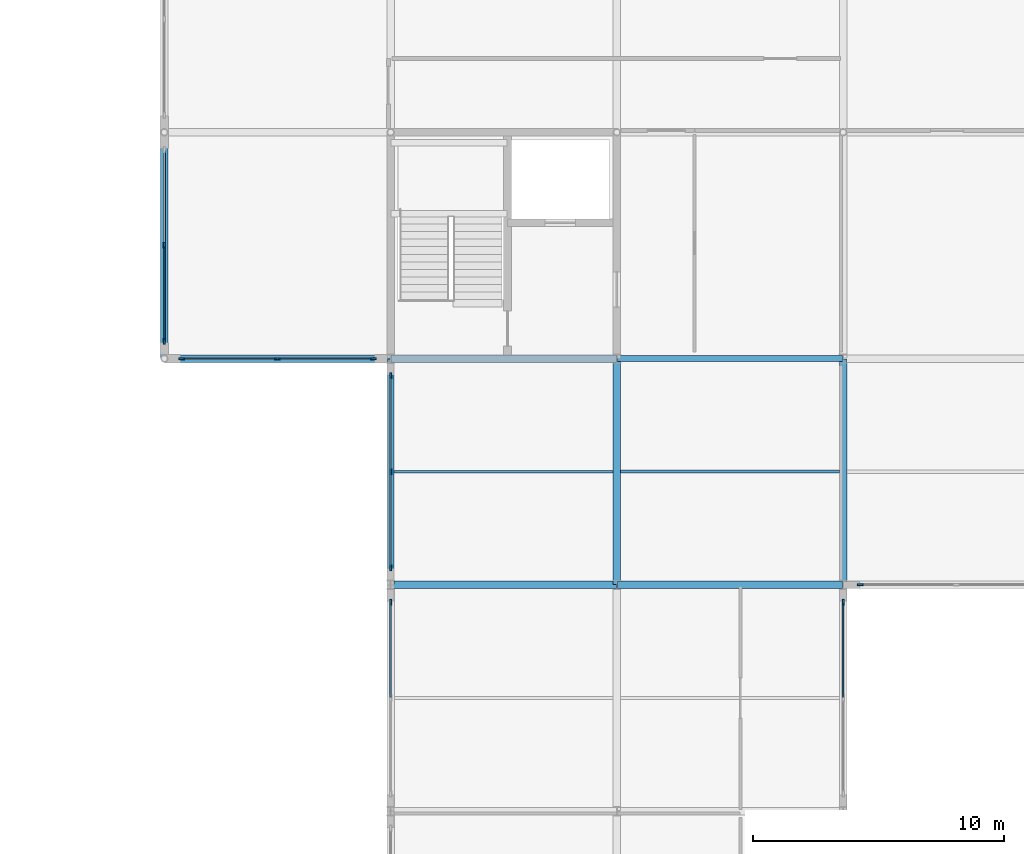
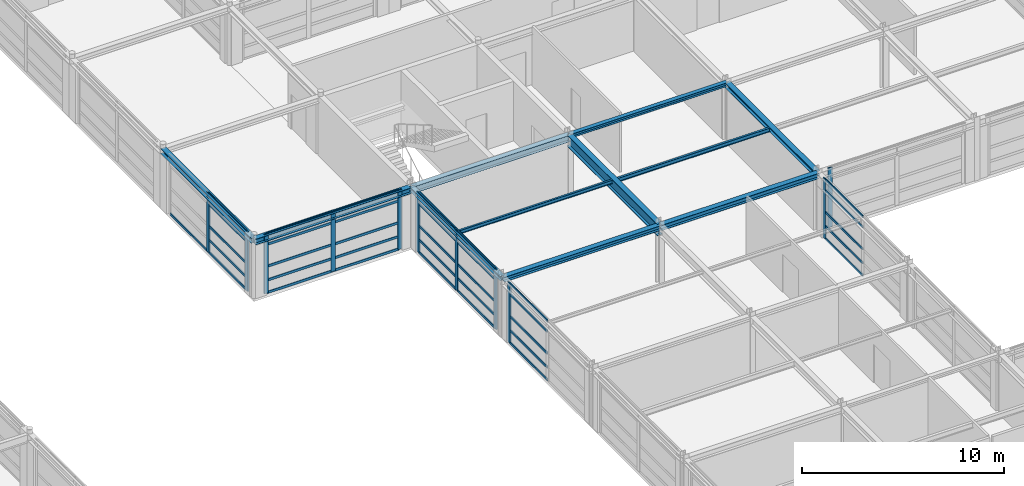
# One storey, part 29 of 79: 47 members, 11 beams, 6 elements without a shape of their own.
"""IFC4 building model written with IfcOpenShell, lengths in metres."""

from ifc_helpers import new_model, si_unit, direction, frame, origin, origin_2d, place, context, subcontext, project, spatial, rectangle, i_section, extrude, material, material_profile, profile_set, type_object, element, aggregate, save


model = new_model("IFC4")

# Units and contexts
model_context = context("Model", 3, precision=1e-05, world=origin(), true_north=direction((0.0, 1.0)))
body_context = subcontext(model_context, "Body", "Model", "MODEL_VIEW")
ifc_project = project(units=[si_unit("LENGTHUNIT", "METRE"), si_unit("AREAUNIT", "SQUARE_METRE"), si_unit("VOLUMEUNIT", "CUBIC_METRE"), si_unit("PLANEANGLEUNIT", "RADIAN"), si_unit("MASSUNIT", "GRAM", prefix="KILO")], contexts=[model_context])

# Site, building, storey
site_placement = place(None, origin())
site = spatial("IfcSite", under=ifc_project, at=site_placement, CompositionType="ELEMENT")
building_placement = place(site_placement, origin())
building = spatial("IfcBuilding", under=site, at=building_placement, Name="Palais des Congres Ocreval", CompositionType="ELEMENT")
storey_placement = place(building_placement, frame((0.0, 0.0, 4.320068359375)))
storey = spatial("IfcBuildingStorey", under=building, at=storey_placement, Name="L01", CompositionType="ELEMENT", Elevation=4.320068359375)

# Curtain wall, member
ifc_material_1 = material(Name="Anodized bronze aluminium and low-E glass", Category="glass")
curtain_wall_type = type_object("IfcCurtainWallType", Name="Unitised Curtain Wall 7900x3660", PredefinedType="USERDEFINED", material=ifc_material_1)
curtain_wall_1_placement = place(storey_placement, origin())
curtain_wall_1 = element("IfcCurtainWall", 1, at=curtain_wall_1_placement, inside=storey, type_object=curtain_wall_type, Name="Unitised Curtain Wall CW02 L01", ObjectType="UNITISED CURTAIN WALL", PredefinedType="USERDEFINED")
ifc_material_2 = material(Name="Anodized bronze aluminium", Category="aluminium")
ifc_material_profile_1 = material_profile(ifc_material_2, rectangle(XDim=0.074951171875, YDim=0.239990234375, at=origin_2d()), Name="ALU 75x240")
ifc_profile_set_1 = profile_set([ifc_material_profile_1], Name="Anodized bronze aluminium")
member_type_1 = type_object("IfcMemberType", Name="Curtain Wall Mullion ALU 75x240", PredefinedType="MULLION", material=ifc_profile_set_1)
member_1_placement = place(storey_placement, frame((108.0, 35.3125, 0.0), z_axis=(0.0, 0.0, 1.0), x_axis=(-1.0, 0.0, 0.0)))
member_1 = element("IfcMember", 2, at=member_1_placement, type_object=member_type_1, Name="Curtain Wall Mullion ML01", PredefinedType="MULLION", context=body_context, shape_type="SweptSolid", body=[
    extrude(rectangle(XDim=0.074951171875, YDim=0.239990234375, at=origin_2d()), origin(), (0.0, 0.0, 1.0), 3.599853515625),
])

# Curtain wall, members
curtain_wall_2_placement = place(storey_placement, origin())
curtain_wall_2 = element("IfcCurtainWall", 3, at=curtain_wall_2_placement, inside=storey, type_object=curtain_wall_type, Name="Unitised Curtain Wall CW02 L01", ObjectType="UNITISED CURTAIN WALL", PredefinedType="USERDEFINED")
member_2_placement = place(storey_placement, frame((108.0, 36.6875, 0.0), z_axis=(0.0, 0.0, 1.0), x_axis=(-1.0, 0.0, 0.0)))
member_2 = element("IfcMember", 4, at=member_2_placement, type_object=member_type_1, Name="Curtain Wall Mullion ML01", PredefinedType="MULLION", context=body_context, shape_type="SweptSolid", body=[
    extrude(rectangle(XDim=0.074951171875, YDim=0.239990234375, at=origin_2d()), origin(), (0.0, 0.0, 1.0), 3.599853515625),
])
member_3_placement = place(storey_placement, frame((108.0, 40.5, 0.0), z_axis=(0.0, 0.0, 1.0), x_axis=(-1.0, 0.0, 0.0)))
member_3 = element("IfcMember", 5, at=member_3_placement, type_object=member_type_1, Name="Curtain Wall Mullion ML01", PredefinedType="MULLION", context=body_context, shape_type="SweptSolid", body=[
    extrude(rectangle(XDim=0.074951171875, YDim=0.239990234375, at=origin_2d()), origin(), (0.0, 0.0, 1.0), 3.599853515625),
])
member_4_placement = place(storey_placement, frame((108.0, 44.3125, 0.0), z_axis=(0.0, 0.0, 1.0), x_axis=(-1.0, 0.0, 0.0)))
member_4 = element("IfcMember", 6, at=member_4_placement, type_object=member_type_1, Name="Curtain Wall Mullion ML01", PredefinedType="MULLION", context=body_context, shape_type="SweptSolid", body=[
    extrude(rectangle(XDim=0.074951171875, YDim=0.239990234375, at=origin_2d()), origin(), (0.0, 0.0, 1.0), 3.599853515625),
])

curtain_wall_3_placement = place(storey_placement, origin())
curtain_wall_3 = element("IfcCurtainWall", 7, at=curtain_wall_3_placement, inside=storey, type_object=curtain_wall_type, Name="Unitised Curtain Wall CW02 L01", ObjectType="UNITISED CURTAIN WALL", PredefinedType="USERDEFINED")
member_5_placement = place(storey_placement, frame((107.3125, 45.0, 0.0), z_axis=(0.0, 0.0, 1.0), x_axis=(0.0, -1.0, 0.0)))
member_5 = element("IfcMember", 8, at=member_5_placement, type_object=member_type_1, Name="Curtain Wall Mullion ML01", PredefinedType="MULLION", context=body_context, shape_type="SweptSolid", body=[
    extrude(rectangle(XDim=0.074951171875, YDim=0.239990234375, at=origin_2d()), origin(), (0.0, 0.0, 1.0), 3.58984375),
])
member_6_placement = place(storey_placement, frame((103.5, 45.0, 0.0), z_axis=(0.0, 0.0, 1.0), x_axis=(0.0, -1.0, 0.0)))
member_6 = element("IfcMember", 9, at=member_6_placement, type_object=member_type_1, Name="Curtain Wall Mullion ML01", PredefinedType="MULLION", context=body_context, shape_type="SweptSolid", body=[
    extrude(rectangle(XDim=0.074951171875, YDim=0.239990234375, at=origin_2d()), origin(), (0.0, 0.0, 1.0), 3.58984375),
])
member_7_placement = place(storey_placement, frame((99.6875, 45.0, 0.0), z_axis=(0.0, 0.0, 1.0), x_axis=(0.0, -1.0, 0.0)))
member_7 = element("IfcMember", 10, at=member_7_placement, type_object=member_type_1, Name="Curtain Wall Mullion ML01", PredefinedType="MULLION", context=body_context, shape_type="SweptSolid", body=[
    extrude(rectangle(XDim=0.074951171875, YDim=0.239990234375, at=origin_2d()), origin(), (0.0, 0.0, 1.0), 3.58984375),
])

curtain_wall_4_placement = place(storey_placement, origin())
curtain_wall_4 = element("IfcCurtainWall", 11, at=curtain_wall_4_placement, inside=storey, type_object=curtain_wall_type, Name="Unitised Curtain Wall CW02 L01", ObjectType="UNITISED CURTAIN WALL", PredefinedType="USERDEFINED")
member_8_placement = place(storey_placement, frame((99.0, 45.6875, 0.0), z_axis=(0.0, 0.0, 1.0), x_axis=(-1.0, 0.0, 0.0)))
member_8 = element("IfcMember", 12, at=member_8_placement, type_object=member_type_1, Name="Curtain Wall Mullion ML01", PredefinedType="MULLION", context=body_context, shape_type="SweptSolid", body=[
    extrude(rectangle(XDim=0.074951171875, YDim=0.239990234375, at=origin_2d()), origin(), (0.0, 0.0, 1.0), 3.58984375),
])
member_9_placement = place(storey_placement, frame((99.0, 49.5, 0.0), z_axis=(0.0, 0.0, 1.0), x_axis=(-1.0, 0.0, 0.0)))
member_9 = element("IfcMember", 13, at=member_9_placement, type_object=member_type_1, Name="Curtain Wall Mullion ML01", PredefinedType="MULLION", context=body_context, shape_type="SweptSolid", body=[
    extrude(rectangle(XDim=0.074951171875, YDim=0.239990234375, at=origin_2d()), origin(), (0.0, 0.0, 1.0), 3.58984375),
])

# Curtain wall, member
curtain_wall_5_placement = place(storey_placement, origin())
curtain_wall_5 = element("IfcCurtainWall", 14, at=curtain_wall_5_placement, inside=storey, type_object=curtain_wall_type, Name="Unitised Curtain Wall CW02 L01", ObjectType="UNITISED CURTAIN WALL", PredefinedType="USERDEFINED")
member_10_placement = place(storey_placement, frame((126.6875, 36.0, 0.0), z_axis=(0.0, 0.0, 1.0), x_axis=(0.0, -1.0, 0.0)))
member_10 = element("IfcMember", 15, at=member_10_placement, type_object=member_type_1, Name="Curtain Wall Mullion ML01", PredefinedType="MULLION", context=body_context, shape_type="SweptSolid", body=[
    extrude(rectangle(XDim=0.074951171875, YDim=0.239990234375, at=origin_2d()), origin(), (0.0, 0.0, 1.0), 3.599853515625),
])
aggregate(curtain_wall_5, [member_10])

curtain_wall_6_placement = place(storey_placement, origin())
curtain_wall_6 = element("IfcCurtainWall", 16, at=curtain_wall_6_placement, inside=storey, type_object=curtain_wall_type, Name="Unitised Curtain Wall CW02 L01", ObjectType="UNITISED CURTAIN WALL", PredefinedType="USERDEFINED")
member_11_placement = place(storey_placement, frame((126.0, 35.3125, 0.0), z_axis=(0.0, 0.0, 1.0), x_axis=(1.0, 0.0, 0.0)))
member_11 = element("IfcMember", 17, at=member_11_placement, type_object=member_type_1, Name="Curtain Wall Mullion ML01", PredefinedType="MULLION", context=body_context, shape_type="SweptSolid", body=[
    extrude(rectangle(XDim=0.074951171875, YDim=0.239990234375, at=origin_2d()), origin(), (0.0, 0.0, 1.0), 3.599853515625),
])

# Member
ifc_material_profile_2 = material_profile(ifc_material_2, rectangle(XDim=0.06005859375, YDim=0.14990234375, at=origin_2d()), Name="ALU 60x150")
ifc_profile_set_2 = profile_set([ifc_material_profile_2], Name="Anodized bronze aluminium")
member_type_2 = type_object("IfcMemberType", Name="Curtain Wall Transom ALU 60x150", PredefinedType="USERDEFINED", material=ifc_profile_set_2)
member_12_placement = place(storey_placement, frame((108.0, 31.53759765625, 0.030029296875), z_axis=(0.0, 1.0, 0.0), x_axis=(-1.0, 0.0, 0.0)))
member_12 = element("IfcMember", 18, at=member_12_placement, type_object=member_type_2, Name="Curtain Wall Transom TR01", ObjectType="TRANSOM", PredefinedType="USERDEFINED", context=body_context, shape_type="SweptSolid", body=[
    extrude(rectangle(XDim=0.06005859375, YDim=0.14990234375, at=origin_2d()), origin(), (0.0, 0.0, 1.0), 3.7373046875),
])

member_13_placement = place(storey_placement, frame((108.0, 31.53759765625, 0.780029296875), z_axis=(0.0, 1.0, 0.0), x_axis=(-1.0, 0.0, 0.0)))
member_13 = element("IfcMember", 19, at=member_13_placement, type_object=member_type_2, Name="Curtain Wall Transom TR01", ObjectType="TRANSOM", PredefinedType="USERDEFINED", context=body_context, shape_type="SweptSolid", body=[
    extrude(rectangle(XDim=0.06005859375, YDim=0.14990234375, at=origin_2d()), origin(), (0.0, 0.0, 1.0), 3.7373046875),
])

member_14_placement = place(storey_placement, frame((108.0, 31.53759765625, 1.622314453125), z_axis=(0.0, 1.0, 0.0), x_axis=(-1.0, 0.0, 0.0)))
member_14 = element("IfcMember", 20, at=member_14_placement, type_object=member_type_2, Name="Curtain Wall Transom TR01", ObjectType="TRANSOM", PredefinedType="USERDEFINED", context=body_context, shape_type="SweptSolid", body=[
    extrude(rectangle(XDim=0.06005859375, YDim=0.14990234375, at=origin_2d()), origin(), (0.0, 0.0, 1.0), 3.7373046875),
])

member_15_placement = place(storey_placement, frame((108.0, 31.53759765625, 2.949951171875), z_axis=(0.0, 1.0, 0.0), x_axis=(-1.0, 0.0, 0.0)))
member_15 = element("IfcMember", 21, at=member_15_placement, type_object=member_type_2, Name="Curtain Wall Transom TR01", ObjectType="TRANSOM", PredefinedType="USERDEFINED", context=body_context, shape_type="SweptSolid", body=[
    extrude(rectangle(XDim=0.06005859375, YDim=0.14990234375, at=origin_2d()), origin(), (0.0, 0.0, 1.0), 3.7373046875),
])

member_16_placement = place(storey_placement, frame((108.0, 31.53759765625, 3.56982421875), z_axis=(0.0, 1.0, 0.0), x_axis=(-1.0, 0.0, 0.0)))
member_16 = element("IfcMember", 22, at=member_16_placement, type_object=member_type_2, Name="Curtain Wall Transom TR01", ObjectType="TRANSOM", PredefinedType="USERDEFINED", context=body_context, shape_type="SweptSolid", body=[
    extrude(rectangle(XDim=0.06005859375, YDim=0.14990234375, at=origin_2d()), origin(), (0.0, 0.0, 1.0), 3.7373046875),
])

aggregate(curtain_wall_1, [member_1, member_12, member_13, member_14, member_15, member_16])

member_17_placement = place(storey_placement, frame((108.0, 36.72509765625, 0.030029296875), z_axis=(0.0, 1.0, 0.0), x_axis=(-1.0, 0.0, 0.0)))
member_17 = element("IfcMember", 23, at=member_17_placement, type_object=member_type_2, Name="Curtain Wall Transom TR01", ObjectType="TRANSOM", PredefinedType="USERDEFINED", context=body_context, shape_type="SweptSolid", body=[
    extrude(rectangle(XDim=0.06005859375, YDim=0.14990234375, at=origin_2d()), origin(), (0.0, 0.0, 1.0), 3.7373046875),
])

member_18_placement = place(storey_placement, frame((108.0, 36.72509765625, 0.780029296875), z_axis=(0.0, 1.0, 0.0), x_axis=(-1.0, 0.0, 0.0)))
member_18 = element("IfcMember", 24, at=member_18_placement, type_object=member_type_2, Name="Curtain Wall Transom TR01", ObjectType="TRANSOM", PredefinedType="USERDEFINED", context=body_context, shape_type="SweptSolid", body=[
    extrude(rectangle(XDim=0.06005859375, YDim=0.14990234375, at=origin_2d()), origin(), (0.0, 0.0, 1.0), 3.7373046875),
])

member_19_placement = place(storey_placement, frame((108.0, 36.72509765625, 1.622314453125), z_axis=(0.0, 1.0, 0.0), x_axis=(-1.0, 0.0, 0.0)))
member_19 = element("IfcMember", 25, at=member_19_placement, type_object=member_type_2, Name="Curtain Wall Transom TR01", ObjectType="TRANSOM", PredefinedType="USERDEFINED", context=body_context, shape_type="SweptSolid", body=[
    extrude(rectangle(XDim=0.06005859375, YDim=0.14990234375, at=origin_2d()), origin(), (0.0, 0.0, 1.0), 3.7373046875),
])

member_20_placement = place(storey_placement, frame((108.0, 36.72509765625, 2.949951171875), z_axis=(0.0, 1.0, 0.0), x_axis=(-1.0, 0.0, 0.0)))
member_20 = element("IfcMember", 26, at=member_20_placement, type_object=member_type_2, Name="Curtain Wall Transom TR01", ObjectType="TRANSOM", PredefinedType="USERDEFINED", context=body_context, shape_type="SweptSolid", body=[
    extrude(rectangle(XDim=0.06005859375, YDim=0.14990234375, at=origin_2d()), origin(), (0.0, 0.0, 1.0), 3.7373046875),
])

member_21_placement = place(storey_placement, frame((108.0, 36.72509765625, 3.56982421875), z_axis=(0.0, 1.0, 0.0), x_axis=(-1.0, 0.0, 0.0)))
member_21 = element("IfcMember", 27, at=member_21_placement, type_object=member_type_2, Name="Curtain Wall Transom TR01", ObjectType="TRANSOM", PredefinedType="USERDEFINED", context=body_context, shape_type="SweptSolid", body=[
    extrude(rectangle(XDim=0.06005859375, YDim=0.14990234375, at=origin_2d()), origin(), (0.0, 0.0, 1.0), 3.7373046875),
])

member_22_placement = place(storey_placement, frame((108.0, 40.53759765625, 0.030029296875), z_axis=(0.0, 1.0, 0.0), x_axis=(-1.0, 0.0, 0.0)))
member_22 = element("IfcMember", 28, at=member_22_placement, type_object=member_type_2, Name="Curtain Wall Transom TR01", ObjectType="TRANSOM", PredefinedType="USERDEFINED", context=body_context, shape_type="SweptSolid", body=[
    extrude(rectangle(XDim=0.06005859375, YDim=0.14990234375, at=origin_2d()), origin(), (0.0, 0.0, 1.0), 3.7373046875),
])

member_23_placement = place(storey_placement, frame((108.0, 40.53759765625, 0.780029296875), z_axis=(0.0, 1.0, 0.0), x_axis=(-1.0, 0.0, 0.0)))
member_23 = element("IfcMember", 29, at=member_23_placement, type_object=member_type_2, Name="Curtain Wall Transom TR01", ObjectType="TRANSOM", PredefinedType="USERDEFINED", context=body_context, shape_type="SweptSolid", body=[
    extrude(rectangle(XDim=0.06005859375, YDim=0.14990234375, at=origin_2d()), origin(), (0.0, 0.0, 1.0), 3.7373046875),
])

member_24_placement = place(storey_placement, frame((108.0, 40.53759765625, 1.622314453125), z_axis=(0.0, 1.0, 0.0), x_axis=(-1.0, 0.0, 0.0)))
member_24 = element("IfcMember", 30, at=member_24_placement, type_object=member_type_2, Name="Curtain Wall Transom TR01", ObjectType="TRANSOM", PredefinedType="USERDEFINED", context=body_context, shape_type="SweptSolid", body=[
    extrude(rectangle(XDim=0.06005859375, YDim=0.14990234375, at=origin_2d()), origin(), (0.0, 0.0, 1.0), 3.7373046875),
])

member_25_placement = place(storey_placement, frame((108.0, 40.53759765625, 2.949951171875), z_axis=(0.0, 1.0, 0.0), x_axis=(-1.0, 0.0, 0.0)))
member_25 = element("IfcMember", 31, at=member_25_placement, type_object=member_type_2, Name="Curtain Wall Transom TR01", ObjectType="TRANSOM", PredefinedType="USERDEFINED", context=body_context, shape_type="SweptSolid", body=[
    extrude(rectangle(XDim=0.06005859375, YDim=0.14990234375, at=origin_2d()), origin(), (0.0, 0.0, 1.0), 3.7373046875),
])

member_26_placement = place(storey_placement, frame((108.0, 40.53759765625, 3.56982421875), z_axis=(0.0, 1.0, 0.0), x_axis=(-1.0, 0.0, 0.0)))
member_26 = element("IfcMember", 32, at=member_26_placement, type_object=member_type_2, Name="Curtain Wall Transom TR01", ObjectType="TRANSOM", PredefinedType="USERDEFINED", context=body_context, shape_type="SweptSolid", body=[
    extrude(rectangle(XDim=0.06005859375, YDim=0.14990234375, at=origin_2d()), origin(), (0.0, 0.0, 1.0), 3.7373046875),
])

aggregate(curtain_wall_2, [member_2, member_3, member_4, member_17, member_18, member_19, member_20, member_21, member_22, member_23, member_24, member_25, member_26])

member_27_placement = place(storey_placement, frame((107.27490234375, 45.0, 0.030029296875), z_axis=(-1.0, 0.0, 0.0), x_axis=(0.0, -1.0, 0.0)))
member_27 = element("IfcMember", 33, at=member_27_placement, type_object=member_type_2, Name="Curtain Wall Transom TR01", ObjectType="TRANSOM", PredefinedType="USERDEFINED", context=body_context, shape_type="SweptSolid", body=[
    extrude(rectangle(XDim=0.06005859375, YDim=0.14990234375, at=origin_2d()), origin(), (0.0, 0.0, 1.0), 3.7373046875),
])

member_28_placement = place(storey_placement, frame((107.27490234375, 45.0, 0.780029296875), z_axis=(-1.0, 0.0, 0.0), x_axis=(0.0, -1.0, 0.0)))
member_28 = element("IfcMember", 34, at=member_28_placement, type_object=member_type_2, Name="Curtain Wall Transom TR01", ObjectType="TRANSOM", PredefinedType="USERDEFINED", context=body_context, shape_type="SweptSolid", body=[
    extrude(rectangle(XDim=0.06005859375, YDim=0.14990234375, at=origin_2d()), origin(), (0.0, 0.0, 1.0), 3.7373046875),
])

member_29_placement = place(storey_placement, frame((107.27490234375, 45.0, 1.616943359375), z_axis=(-1.0, 0.0, 0.0), x_axis=(0.0, -1.0, 0.0)))
member_29 = element("IfcMember", 35, at=member_29_placement, type_object=member_type_2, Name="Curtain Wall Transom TR01", ObjectType="TRANSOM", PredefinedType="USERDEFINED", context=body_context, shape_type="SweptSolid", body=[
    extrude(rectangle(XDim=0.06005859375, YDim=0.14990234375, at=origin_2d()), origin(), (0.0, 0.0, 1.0), 3.7373046875),
])

member_30_placement = place(storey_placement, frame((107.27490234375, 45.0, 2.93994140625), z_axis=(-1.0, 0.0, 0.0), x_axis=(0.0, -1.0, 0.0)))
member_30 = element("IfcMember", 36, at=member_30_placement, type_object=member_type_2, Name="Curtain Wall Transom TR01", ObjectType="TRANSOM", PredefinedType="USERDEFINED", context=body_context, shape_type="SweptSolid", body=[
    extrude(rectangle(XDim=0.06005859375, YDim=0.14990234375, at=origin_2d()), origin(), (0.0, 0.0, 1.0), 3.7373046875),
])

member_31_placement = place(storey_placement, frame((107.27490234375, 45.0, 3.559814453125), z_axis=(-1.0, 0.0, 0.0), x_axis=(0.0, -1.0, 0.0)))
member_31 = element("IfcMember", 37, at=member_31_placement, type_object=member_type_2, Name="Curtain Wall Transom TR01", ObjectType="TRANSOM", PredefinedType="USERDEFINED", context=body_context, shape_type="SweptSolid", body=[
    extrude(rectangle(XDim=0.06005859375, YDim=0.14990234375, at=origin_2d()), origin(), (0.0, 0.0, 1.0), 3.7373046875),
])

member_32_placement = place(storey_placement, frame((103.46240234375, 45.0, 0.030029296875), z_axis=(-1.0, 0.0, 0.0), x_axis=(0.0, -1.0, 0.0)))
member_32 = element("IfcMember", 38, at=member_32_placement, type_object=member_type_2, Name="Curtain Wall Transom TR01", ObjectType="TRANSOM", PredefinedType="USERDEFINED", context=body_context, shape_type="SweptSolid", body=[
    extrude(rectangle(XDim=0.06005859375, YDim=0.14990234375, at=origin_2d()), origin(), (0.0, 0.0, 1.0), 3.7373046875),
])

member_33_placement = place(storey_placement, frame((103.46240234375, 45.0, 0.780029296875), z_axis=(-1.0, 0.0, 0.0), x_axis=(0.0, -1.0, 0.0)))
member_33 = element("IfcMember", 39, at=member_33_placement, type_object=member_type_2, Name="Curtain Wall Transom TR01", ObjectType="TRANSOM", PredefinedType="USERDEFINED", context=body_context, shape_type="SweptSolid", body=[
    extrude(rectangle(XDim=0.06005859375, YDim=0.14990234375, at=origin_2d()), origin(), (0.0, 0.0, 1.0), 3.7373046875),
])

member_34_placement = place(storey_placement, frame((103.46240234375, 45.0, 1.616943359375), z_axis=(-1.0, 0.0, 0.0), x_axis=(0.0, -1.0, 0.0)))
member_34 = element("IfcMember", 40, at=member_34_placement, type_object=member_type_2, Name="Curtain Wall Transom TR01", ObjectType="TRANSOM", PredefinedType="USERDEFINED", context=body_context, shape_type="SweptSolid", body=[
    extrude(rectangle(XDim=0.06005859375, YDim=0.14990234375, at=origin_2d()), origin(), (0.0, 0.0, 1.0), 3.7373046875),
])

member_35_placement = place(storey_placement, frame((103.46240234375, 45.0, 2.93994140625), z_axis=(-1.0, 0.0, 0.0), x_axis=(0.0, -1.0, 0.0)))
member_35 = element("IfcMember", 41, at=member_35_placement, type_object=member_type_2, Name="Curtain Wall Transom TR01", ObjectType="TRANSOM", PredefinedType="USERDEFINED", context=body_context, shape_type="SweptSolid", body=[
    extrude(rectangle(XDim=0.06005859375, YDim=0.14990234375, at=origin_2d()), origin(), (0.0, 0.0, 1.0), 3.7373046875),
])

member_36_placement = place(storey_placement, frame((103.46240234375, 45.0, 3.559814453125), z_axis=(-1.0, 0.0, 0.0), x_axis=(0.0, -1.0, 0.0)))
member_36 = element("IfcMember", 42, at=member_36_placement, type_object=member_type_2, Name="Curtain Wall Transom TR01", ObjectType="TRANSOM", PredefinedType="USERDEFINED", context=body_context, shape_type="SweptSolid", body=[
    extrude(rectangle(XDim=0.06005859375, YDim=0.14990234375, at=origin_2d()), origin(), (0.0, 0.0, 1.0), 3.7373046875),
])

aggregate(curtain_wall_3, [member_5, member_6, member_7, member_27, member_28, member_29, member_30, member_31, member_32, member_33, member_34, member_35, member_36])

member_37_placement = place(storey_placement, frame((99.0, 45.72509765625, 0.030029296875), z_axis=(0.0, 1.0, 0.0), x_axis=(-1.0, 0.0, 0.0)))
member_37 = element("IfcMember", 43, at=member_37_placement, type_object=member_type_2, Name="Curtain Wall Transom TR01", ObjectType="TRANSOM", PredefinedType="USERDEFINED", context=body_context, shape_type="SweptSolid", body=[
    extrude(rectangle(XDim=0.06005859375, YDim=0.14990234375, at=origin_2d()), origin(), (0.0, 0.0, 1.0), 3.7373046875),
])

member_38_placement = place(storey_placement, frame((99.0, 45.72509765625, 0.780029296875), z_axis=(0.0, 1.0, 0.0), x_axis=(-1.0, 0.0, 0.0)))
member_38 = element("IfcMember", 44, at=member_38_placement, type_object=member_type_2, Name="Curtain Wall Transom TR01", ObjectType="TRANSOM", PredefinedType="USERDEFINED", context=body_context, shape_type="SweptSolid", body=[
    extrude(rectangle(XDim=0.06005859375, YDim=0.14990234375, at=origin_2d()), origin(), (0.0, 0.0, 1.0), 3.7373046875),
])

member_39_placement = place(storey_placement, frame((99.0, 45.72509765625, 1.616943359375), z_axis=(0.0, 1.0, 0.0), x_axis=(-1.0, 0.0, 0.0)))
member_39 = element("IfcMember", 45, at=member_39_placement, type_object=member_type_2, Name="Curtain Wall Transom TR01", ObjectType="TRANSOM", PredefinedType="USERDEFINED", context=body_context, shape_type="SweptSolid", body=[
    extrude(rectangle(XDim=0.06005859375, YDim=0.14990234375, at=origin_2d()), origin(), (0.0, 0.0, 1.0), 3.7373046875),
])

member_40_placement = place(storey_placement, frame((99.0, 45.72509765625, 2.93994140625), z_axis=(0.0, 1.0, 0.0), x_axis=(-1.0, 0.0, 0.0)))
member_40 = element("IfcMember", 46, at=member_40_placement, type_object=member_type_2, Name="Curtain Wall Transom TR01", ObjectType="TRANSOM", PredefinedType="USERDEFINED", context=body_context, shape_type="SweptSolid", body=[
    extrude(rectangle(XDim=0.06005859375, YDim=0.14990234375, at=origin_2d()), origin(), (0.0, 0.0, 1.0), 3.7373046875),
])

member_41_placement = place(storey_placement, frame((99.0, 45.72509765625, 3.559814453125), z_axis=(0.0, 1.0, 0.0), x_axis=(-1.0, 0.0, 0.0)))
member_41 = element("IfcMember", 47, at=member_41_placement, type_object=member_type_2, Name="Curtain Wall Transom TR01", ObjectType="TRANSOM", PredefinedType="USERDEFINED", context=body_context, shape_type="SweptSolid", body=[
    extrude(rectangle(XDim=0.06005859375, YDim=0.14990234375, at=origin_2d()), origin(), (0.0, 0.0, 1.0), 3.7373046875),
])

member_42_placement = place(storey_placement, frame((99.0, 49.53759765625, 0.030029296875), z_axis=(0.0, 1.0, 0.0), x_axis=(-1.0, 0.0, 0.0)))
member_42 = element("IfcMember", 48, at=member_42_placement, type_object=member_type_2, Name="Curtain Wall Transom TR01", ObjectType="TRANSOM", PredefinedType="USERDEFINED", context=body_context, shape_type="SweptSolid", body=[
    extrude(rectangle(XDim=0.06005859375, YDim=0.14990234375, at=origin_2d()), origin(), (0.0, 0.0, 1.0), 3.7373046875),
])

aggregate(curtain_wall_4, [member_8, member_9, member_37, member_38, member_39, member_40, member_41, member_42])

member_43_placement = place(storey_placement, frame((126.0, 35.27490234375, 0.030029296875), z_axis=(0.0, -1.0, 0.0), x_axis=(1.0, 0.0, 0.0)))
member_43 = element("IfcMember", 49, at=member_43_placement, type_object=member_type_2, Name="Curtain Wall Transom TR01", ObjectType="TRANSOM", PredefinedType="USERDEFINED", context=body_context, shape_type="SweptSolid", body=[
    extrude(rectangle(XDim=0.06005859375, YDim=0.14990234375, at=origin_2d()), origin(), (0.0, 0.0, 1.0), 3.7373046875),
])

member_44_placement = place(storey_placement, frame((126.0, 35.27490234375, 0.780029296875), z_axis=(0.0, -1.0, 0.0), x_axis=(1.0, 0.0, 0.0)))
member_44 = element("IfcMember", 50, at=member_44_placement, type_object=member_type_2, Name="Curtain Wall Transom TR01", ObjectType="TRANSOM", PredefinedType="USERDEFINED", context=body_context, shape_type="SweptSolid", body=[
    extrude(rectangle(XDim=0.06005859375, YDim=0.14990234375, at=origin_2d()), origin(), (0.0, 0.0, 1.0), 3.7373046875),
])

member_45_placement = place(storey_placement, frame((126.0, 35.27490234375, 1.622314453125), z_axis=(0.0, -1.0, 0.0), x_axis=(1.0, 0.0, 0.0)))
member_45 = element("IfcMember", 51, at=member_45_placement, type_object=member_type_2, Name="Curtain Wall Transom TR01", ObjectType="TRANSOM", PredefinedType="USERDEFINED", context=body_context, shape_type="SweptSolid", body=[
    extrude(rectangle(XDim=0.06005859375, YDim=0.14990234375, at=origin_2d()), origin(), (0.0, 0.0, 1.0), 3.7373046875),
])

member_46_placement = place(storey_placement, frame((126.0, 35.27490234375, 2.949951171875), z_axis=(0.0, -1.0, 0.0), x_axis=(1.0, 0.0, 0.0)))
member_46 = element("IfcMember", 52, at=member_46_placement, type_object=member_type_2, Name="Curtain Wall Transom TR01", ObjectType="TRANSOM", PredefinedType="USERDEFINED", context=body_context, shape_type="SweptSolid", body=[
    extrude(rectangle(XDim=0.06005859375, YDim=0.14990234375, at=origin_2d()), origin(), (0.0, 0.0, 1.0), 3.7373046875),
])

member_47_placement = place(storey_placement, frame((126.0, 35.27490234375, 3.56982421875), z_axis=(0.0, -1.0, 0.0), x_axis=(1.0, 0.0, 0.0)))
member_47 = element("IfcMember", 53, at=member_47_placement, type_object=member_type_2, Name="Curtain Wall Transom TR01", ObjectType="TRANSOM", PredefinedType="USERDEFINED", context=body_context, shape_type="SweptSolid", body=[
    extrude(rectangle(XDim=0.06005859375, YDim=0.14990234375, at=origin_2d()), origin(), (0.0, 0.0, 1.0), 3.7373046875),
])

aggregate(curtain_wall_6, [member_11, member_43, member_44, member_45, member_46, member_47])

# Beams
ifc_material_3 = material(Name="Steel S355", Category="steel")
ifc_material_profile_3 = material_profile(ifc_material_3, i_section(OverallWidth=0.260009765625, OverallDepth=0.260009765625, WebThickness=0.010009765625, FlangeThickness=0.017578125, at=origin_2d()), Name="HEB 260")
ifc_profile_set_3 = profile_set([ifc_material_profile_3], Name="Steel S355")
beam_type_1 = type_object("IfcBeamType", Name="Opening Lintel HEB 260 Steel S355", PredefinedType="LINTEL", material=ifc_profile_set_3)
beam_1_placement = place(storey_placement, frame((108.0, 36.02001953125, 3.449951171875), z_axis=(0.0, 1.0, 0.0), x_axis=(-1.0, 0.0, 0.0)))
element("IfcBeam", 54, at=beam_1_placement, inside=storey, type_object=beam_type_1, Name="Girder LN01 L01", PredefinedType="LINTEL", context=body_context, shape_type="SweptSolid", body=[
    extrude(i_section(OverallWidth=0.260009765625, OverallDepth=0.260009765625, WebThickness=0.010009765625, FlangeThickness=0.017578125, at=origin_2d()), origin(), (0.0, 0.0, 1.0), 8.9599609375),
])
ifc_material_profile_4 = material_profile(ifc_material_3, i_section(OverallWidth=0.239990234375, OverallDepth=0.22998046875, WebThickness=0.007568359375, FlangeThickness=0.011962890625, at=origin_2d()), Name="HEA 240")
ifc_profile_set_4 = profile_set([ifc_material_profile_4], Name="Steel S355")
beam_type_2 = type_object("IfcBeamType", Name="Perimeter Spandrel HEA 240 Steel S355", PredefinedType="SPANDREL", material=ifc_profile_set_4)
beam_2_placement = place(storey_placement, frame((117.02001953125, 45.0, 3.46484375), z_axis=(1.0, 0.0, 0.0), x_axis=(0.0, 1.0, 0.0)))
element("IfcBeam", 55, at=beam_2_placement, inside=storey, type_object=beam_type_2, Name="Beam SP01 L01", PredefinedType="SPANDREL", context=body_context, shape_type="SweptSolid", body=[
    extrude(i_section(OverallWidth=0.239990234375, OverallDepth=0.22998046875, WebThickness=0.007568359375, FlangeThickness=0.011962890625, at=origin_2d()), origin(), (0.0, 0.0, 1.0), 8.9599609375),
])
ifc_material_profile_5 = material_profile(ifc_material_3, i_section(OverallWidth=0.300048828125, OverallDepth=0.300048828125, WebThickness=0.010986328125, FlangeThickness=0.01904296875, at=origin_2d()), Name="HEB 300")
ifc_profile_set_5 = profile_set([ifc_material_profile_5], Name="Steel S355")
beam_type_3 = type_object("IfcBeamType", Name="Perimeter Spandrel HEB 300 Steel S355", PredefinedType="SPANDREL", material=ifc_profile_set_5)
beam_3_placement = place(storey_placement, frame((99.0, 45.02001953125, 3.429931640625), z_axis=(0.0, 1.0, 0.0), x_axis=(-1.0, 0.0, 0.0)))
element("IfcBeam", 56, at=beam_3_placement, inside=storey, type_object=beam_type_3, Name="Girder SP02 L01", PredefinedType="SPANDREL", context=body_context, shape_type="SweptSolid", body=[
    extrude(i_section(OverallWidth=0.300048828125, OverallDepth=0.300048828125, WebThickness=0.010986328125, FlangeThickness=0.01904296875, at=origin_2d()), origin(), (0.0, 0.0, 1.0), 8.9599609375),
])
ifc_material_profile_6 = material_profile(ifc_material_3, i_section(OverallWidth=0.300048828125, OverallDepth=0.360107421875, WebThickness=0.012451171875, FlangeThickness=0.0224609375, at=origin_2d()), Name="HEB 360")
ifc_profile_set_6 = profile_set([ifc_material_profile_6], Name="Steel S355")
beam_type_4 = type_object("IfcBeamType", Name="Perimeter Spandrel HEB 360 Steel S355", PredefinedType="SPANDREL", material=ifc_profile_set_6)
beam_4_placement = place(storey_placement, frame((99.02001953125, 45.0, 3.39990234375), z_axis=(1.0, 0.0, 0.0), x_axis=(0.0, 1.0, 0.0)))
element("IfcBeam", 57, at=beam_4_placement, inside=storey, type_object=beam_type_4, Name="Beam SP03 L01", PredefinedType="SPANDREL", context=body_context, shape_type="SweptSolid", body=[
    extrude(i_section(OverallWidth=0.300048828125, OverallDepth=0.360107421875, WebThickness=0.012451171875, FlangeThickness=0.0224609375, at=origin_2d()), origin(), (0.0, 0.0, 1.0), 8.9599609375),
])
ifc_material_profile_7 = material_profile(ifc_material_3, i_section(OverallWidth=0.300048828125, OverallDepth=0.39990234375, WebThickness=0.013427734375, FlangeThickness=0.02392578125, at=origin_2d()), Name="HEB 400")
ifc_profile_set_7 = profile_set([ifc_material_profile_7], Name="Steel S355")
beam_type_5 = type_object("IfcBeamType", Name="Perimeter Spandrel HEB 400 Steel S355", PredefinedType="SPANDREL", material=ifc_profile_set_7)
beam_5_placement = place(storey_placement, frame((108.02001953125, 45.0, 3.3798828125), z_axis=(1.0, 0.0, 0.0), x_axis=(0.0, 1.0, 0.0)))
element("IfcBeam", 58, at=beam_5_placement, inside=storey, type_object=beam_type_5, Name="Beam SP04 L01", PredefinedType="SPANDREL", context=body_context, shape_type="SweptSolid", body=[
    extrude(i_section(OverallWidth=0.300048828125, OverallDepth=0.39990234375, WebThickness=0.013427734375, FlangeThickness=0.02392578125, at=origin_2d()), origin(), (0.0, 0.0, 1.0), 8.9599609375),
])
ifc_material_profile_8 = material_profile(ifc_material_3, i_section(OverallWidth=0.300048828125, OverallDepth=0.2900390625, WebThickness=0.008544921875, FlangeThickness=0.013916015625, at=origin_2d()), Name="HEA 300")
ifc_profile_set_8 = profile_set([ifc_material_profile_8], Name="Steel S355")
beam_type_6 = type_object("IfcBeamType", Name="Primary Beam HEA 300 Steel S355", PredefinedType="BEAM", material=ifc_profile_set_8)
for number, where, z_axis, x_axis, name in (
    (59, (108.02001953125, 36.0, 3.434814453125), (1.0, 0.0, 0.0), (0.0, 1.0, 0.0), "Beam B08 L01"),
    (60, (126.0, 36.02001953125, 3.434814453125), (0.0, 1.0, 0.0), (-1.0, 0.0, 0.0), "Girder B08 L01"),
):
    element("IfcBeam", number, at=place(storey_placement, frame(where, z_axis=z_axis, x_axis=x_axis)), inside=storey, type_object=beam_type_6, Name=name, PredefinedType="BEAM", context=body_context, shape_type="SweptSolid", body=[
        extrude(i_section(OverallWidth=0.300048828125, OverallDepth=0.2900390625, WebThickness=0.008544921875, FlangeThickness=0.013916015625, at=origin_2d()), origin(), (0.0, 0.0, 1.0), 8.9599609375),
    ])
ifc_material_profile_9 = material_profile(ifc_material_3, i_section(OverallWidth=0.300048828125, OverallDepth=0.330078125, WebThickness=0.009521484375, FlangeThickness=0.0166015625, at=origin_2d()), Name="HEA 340")
ifc_profile_set_9 = profile_set([ifc_material_profile_9], Name="Steel S355")
beam_type_7 = type_object("IfcBeamType", Name="Primary Beam HEA 340 Steel S355", PredefinedType="BEAM", material=ifc_profile_set_9)
beam_6_placement = place(storey_placement, frame((117.02001953125, 36.0, 3.4150390625), z_axis=(1.0, 0.0, 0.0), x_axis=(0.0, 1.0, 0.0)))
element("IfcBeam", 61, at=beam_6_placement, inside=storey, type_object=beam_type_7, Name="Beam B09 L01", PredefinedType="BEAM", context=body_context, shape_type="SweptSolid", body=[
    extrude(i_section(OverallWidth=0.300048828125, OverallDepth=0.330078125, WebThickness=0.009521484375, FlangeThickness=0.0166015625, at=origin_2d()), origin(), (0.0, 0.0, 1.0), 8.9599609375),
])
ifc_material_profile_10 = material_profile(ifc_material_3, i_section(OverallWidth=0.300048828125, OverallDepth=0.68994140625, WebThickness=0.014404296875, FlangeThickness=0.027099609375, at=origin_2d()), Name="HEA 700")
ifc_profile_set_10 = profile_set([ifc_material_profile_10], Name="Steel S355")
beam_type_8 = type_object("IfcBeamType", Name="Primary Girder HEA 700 Steel S355", PredefinedType="BEAM", material=ifc_profile_set_10)
beam_7_placement = place(storey_placement, frame((117.0, 36.02001953125, 3.23486328125), z_axis=(0.0, 1.0, 0.0), x_axis=(-1.0, 0.0, 0.0)))
element("IfcBeam", 62, at=beam_7_placement, inside=storey, type_object=beam_type_8, Name="Girder B14 L01", PredefinedType="BEAM", context=body_context, shape_type="SweptSolid", body=[
    extrude(i_section(OverallWidth=0.300048828125, OverallDepth=0.68994140625, WebThickness=0.014404296875, FlangeThickness=0.027099609375, at=origin_2d()), origin(), (0.0, 0.0, 1.0), 8.9599609375),
])
ifc_material_profile_11 = material_profile(ifc_material_3, i_section(OverallWidth=0.110107421875, OverallDepth=0.219970703125, WebThickness=0.005859375, FlangeThickness=0.00927734375, at=origin_2d()), Name="IPE 220")
ifc_profile_set_11 = profile_set([ifc_material_profile_11], Name="Steel S355")
beam_type_9 = type_object("IfcBeamType", Name="Secondary Joist IPE 220 Steel S355", PredefinedType="JOIST", material=ifc_profile_set_11)
beam_8_placement = place(storey_placement, frame((108.1298828125, 40.5, 3.469970703125), z_axis=(1.0, 0.0, 0.0), x_axis=(0.0, 1.0, 0.0)))
element("IfcBeam", 63, at=beam_8_placement, inside=storey, type_object=beam_type_9, Name="Secondary Joist J02 L01", PredefinedType="JOIST", context=body_context, shape_type="SweptSolid", body=[
    extrude(i_section(OverallWidth=0.110107421875, OverallDepth=0.219970703125, WebThickness=0.005859375, FlangeThickness=0.00927734375, at=origin_2d()), origin(), (0.0, 0.0, 1.0), 8.72021484375),
])
ifc_material_profile_12 = material_profile(ifc_material_3, i_section(OverallWidth=0.1201171875, OverallDepth=0.239990234375, WebThickness=0.006103515625, FlangeThickness=0.009765625, at=origin_2d()), Name="IPE 240")
ifc_profile_set_12 = profile_set([ifc_material_profile_12], Name="Steel S355")
beam_type_10 = type_object("IfcBeamType", Name="Secondary Joist IPE 240 Steel S355", PredefinedType="JOIST", material=ifc_profile_set_12)
beam_9_placement = place(storey_placement, frame((117.14990234375, 40.5, 3.4599609375), z_axis=(1.0, 0.0, 0.0), x_axis=(0.0, 1.0, 0.0)))
element("IfcBeam", 64, at=beam_9_placement, inside=storey, type_object=beam_type_10, Name="Secondary Joist J03 L01", PredefinedType="JOIST", context=body_context, shape_type="SweptSolid", body=[
    extrude(i_section(OverallWidth=0.1201171875, OverallDepth=0.239990234375, WebThickness=0.006103515625, FlangeThickness=0.009765625, at=origin_2d()), origin(), (0.0, 0.0, 1.0), 8.7001953125),
])

save(model, "model.ifc")
